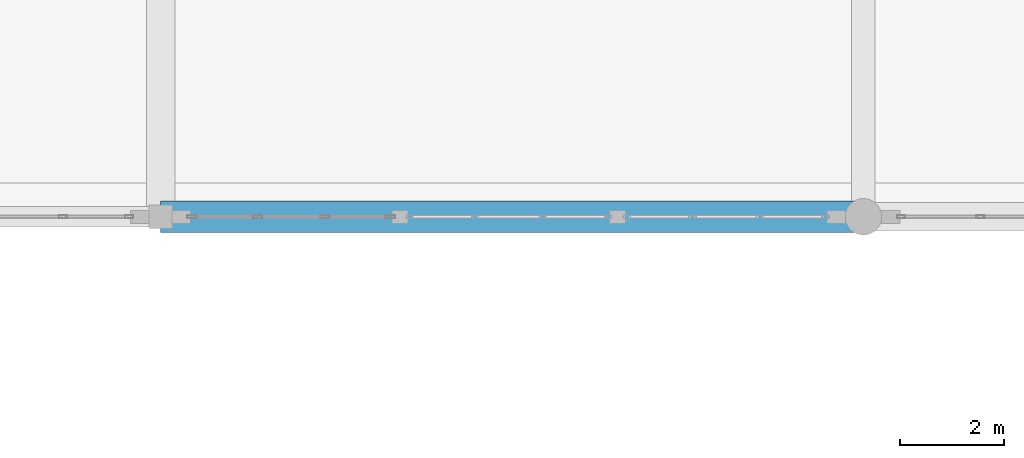
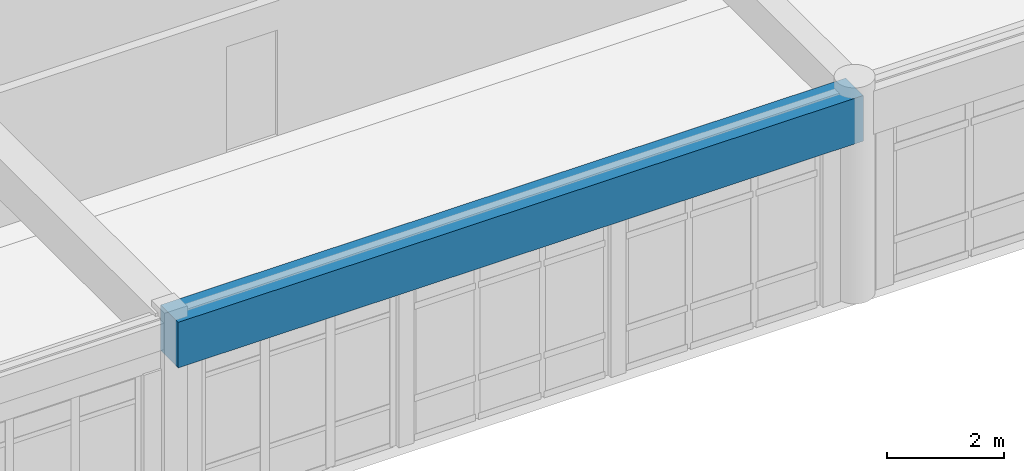
# One storey, part 48 of 109: 1 beam.
"""IFC4 building model written with IfcOpenShell, lengths in metres."""

from ifc_helpers import new_model, si_unit, direction, frame, origin, origin_2d, place, context, subcontext, project, spatial, rectangle, extrude, material, material_profile, profile_set, type_object, element, save


model = new_model("IFC4")

# Units and contexts
model_context = context("Model", 3, precision=1e-05, world=origin(), true_north=direction((0.0, 1.0)))
body_context = subcontext(model_context, "Body", "Model", "MODEL_VIEW")
ifc_project = project(units=[si_unit("LENGTHUNIT", "METRE"), si_unit("AREAUNIT", "SQUARE_METRE"), si_unit("VOLUMEUNIT", "CUBIC_METRE"), si_unit("PLANEANGLEUNIT", "RADIAN"), si_unit("MASSUNIT", "GRAM", prefix="KILO")], contexts=[model_context])

# Site, building, storey
site_placement = place(None, origin())
site = spatial("IfcSite", under=ifc_project, at=site_placement, CompositionType="ELEMENT")
building_placement = place(site_placement, origin())
building = spatial("IfcBuilding", under=site, at=building_placement, Name="Fikremerkos Civic Library", CompositionType="ELEMENT")
storey_placement = place(building_placement, frame((0.0, 0.0, 5.39990234375)))
storey = spatial("IfcBuildingStorey", under=building, at=storey_placement, Name="L01", CompositionType="ELEMENT", Elevation=5.39990234375)

# Beam
ifc_material = material(Name="Concrete C40/50", Category="concrete")
ifc_material_profile = material_profile(ifc_material, rectangle(XDim=0.60009765625, YDim=0.949951171875, at=origin_2d()), Name="RC 600x950")
ifc_profile_set = profile_set([ifc_material_profile], Name="Concrete C40/50")
beam_type = type_object("IfcBeamType", Name="Primary girder BM-01 RC 600x950", PredefinedType="BEAM", material=ifc_profile_set)
beam_placement = place(storey_placement, frame((100.199951171875, 96.0, 3.80517578125), z_axis=(1.0, 0.0, 0.0), x_axis=(0.0, 1.0, 0.0)))
element("IfcBeam", 1, at=beam_placement, inside=storey, type_object=beam_type, Name="Primary girder BM-01 L01 grid M", PredefinedType="BEAM", context=body_context, shape_type="SweptSolid", body=[
    extrude(rectangle(XDim=0.60009765625, YDim=0.949951171875, at=origin_2d()), origin(), (0.0, 0.0, 1.0), 13.5),
])

save(model, "model.ifc")
